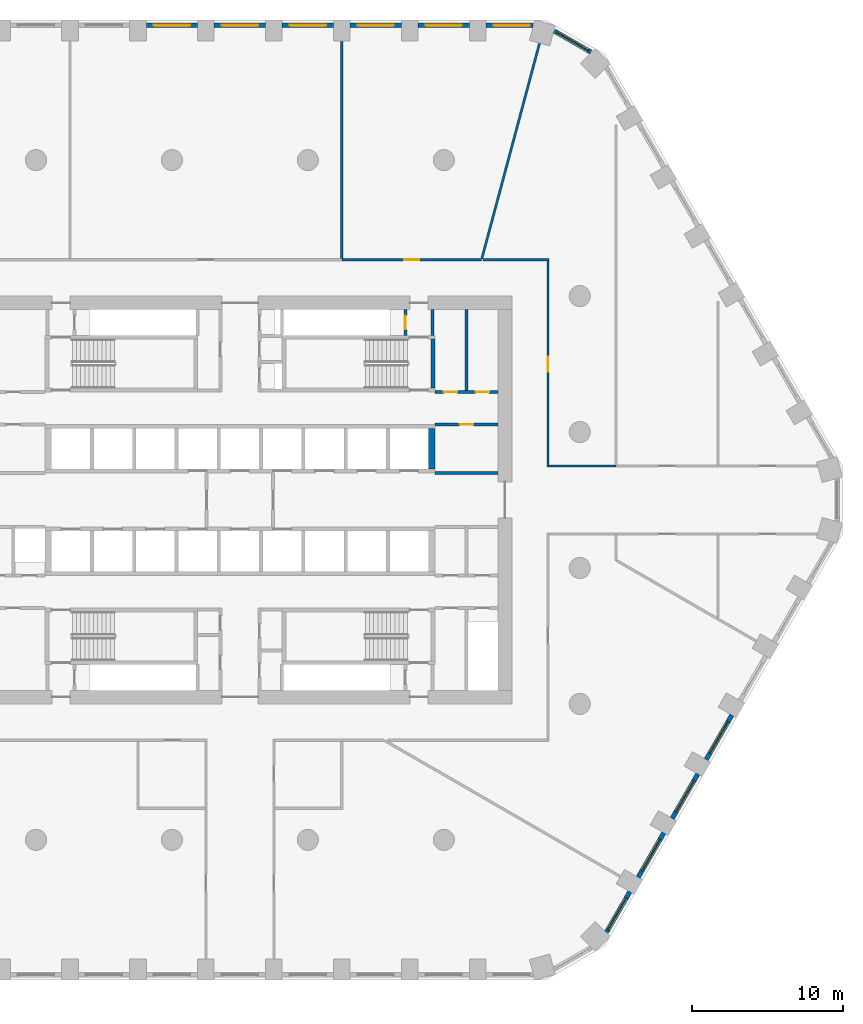
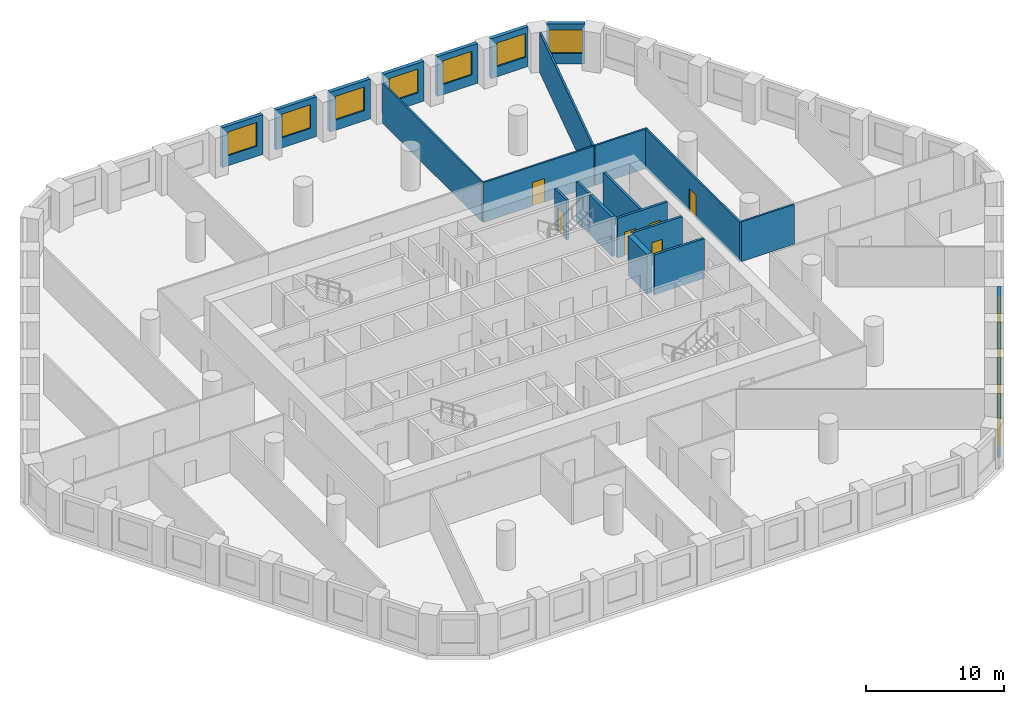
# One storey, part 7 of 10: 25 walls, 11 windows, 6 doors, 17 openings.
"""IFC4 building model written with IfcOpenShell, lengths in metres."""

from ifc_helpers import new_model, si_unit, direction, frame, frame_2d, origin, place, context, subcontext, project, spatial, polyline, rectangle, outline, extrude, material, layer, layer_set, type_object, element, fill, save


model = new_model("IFC4")

# Units and contexts
model_context = context("Model", 3, precision=1e-05, world=origin(), true_north=direction((0.0, 1.0)))
body_context = subcontext(model_context, "Body", "Model", "MODEL_VIEW")
ifc_project = project(units=[si_unit("LENGTHUNIT", "METRE"), si_unit("AREAUNIT", "SQUARE_METRE"), si_unit("VOLUMEUNIT", "CUBIC_METRE"), si_unit("PLANEANGLEUNIT", "RADIAN"), si_unit("MASSUNIT", "GRAM", prefix="KILO")], contexts=[model_context])

# Site, building, storey
site_placement = place(None, origin())
site = spatial("IfcSite", under=ifc_project, at=site_placement, CompositionType="ELEMENT")
building_placement = place(site_placement, origin())
building = spatial("IfcBuilding", under=site, at=building_placement, Name="Dhurran Vertical Campus", CompositionType="ELEMENT")
storey_placement = place(building_placement, frame((0.0, 0.0, 69.0)))
storey = spatial("IfcBuildingStorey", under=building, at=storey_placement, Name="L16", CompositionType="ELEMENT", Elevation=69.0)

# Wall, opening, window
ifc_material_1 = material(Name="Precast concrete C50/60", Category="concrete")
ifc_layer_1 = layer(ifc_material_1, 0.300048828125)
ifc_layer_set_1 = layer_set([ifc_layer_1], Name="Precast concrete C50/60")
wall_type_1 = type_object("IfcWallType", Name="Precast spandrel wall 300", PredefinedType="SOLIDWALL", material=ifc_layer_set_1)
wall_1_placement = place(storey_placement, frame((24.2734375, -28.611083984375, 0.0), z_axis=(0.0, 0.0, 1.0), x_axis=(0.499995950774, 0.866027741594, 0.0)))
wall_1 = element("IfcWall", 1, at=wall_1_placement, inside=storey, type_object=wall_type_1, Name="EW1 L16.10", PredefinedType="SOLIDWALL", context=body_context, shape_type="SweptSolid", body=[
    extrude(rectangle(XDim=3.0908203125, YDim=0.300048828125, at=frame_2d((1.54541015625, 0.0))), origin(), (0.0, 0.0, 1.0), 3.52490234375),
])
opening_1_placement = place(wall_1_placement, frame((0.191162109375, 0.0, 0.89990234375)))
opening_1 = element("IfcOpeningElement", 2, at=opening_1_placement, cuts=wall_1, Name="Opening WT1", PredefinedType="OPENING", context=body_context, shape_type="SweptSolid", body=[
    extrude(rectangle(XDim=2.39990234375, YDim=2.10009765625, at=frame_2d((1.199951171875, 1.050048828125))), frame((0.0, 0.159912109375, 0.0), z_axis=(0.0, -1.0, 0.0), x_axis=(1.0, 0.0, 0.0)), (0.0, 0.0, 1.0), 0.320068359375),
])
ifc_material_2 = material(Name="Aluminium frame with solar-control glass", Category="aluminium")
window_type = type_object("IfcWindowType", Name="Punched window 2400 x 2100", PartitioningType="SINGLE_PANEL", PredefinedType="WINDOW", material=ifc_material_2)
window_1_placement = place(opening_1_placement, origin())
window_1 = element("IfcWindow", 3, at=window_1_placement, inside=storey, type_object=window_type, Name="WT1 L16.10", OverallHeight=2.10009765625, OverallWidth=2.39990234375, PartitioningType="SINGLE_PANEL", PredefinedType="WINDOW", context=body_context, shape_type="SweptSolid", body=[
    extrude(rectangle(XDim=2.39990234375, YDim=2.10009765625, at=frame_2d((1.199951171875, 1.050048828125))), frame((0.0, 0.030029296875, 0.0), z_axis=(0.0, -1.0, 0.0), x_axis=(1.0, 0.0, 0.0)), (0.0, 0.0, 1.0), 0.06005859375),
])
fill(opening_1, window_1)

wall_2_placement = place(storey_placement, frame((26.369384765625, -24.98095703125, 0.0), z_axis=(0.0, 0.0, 1.0), x_axis=(0.499993955907, 0.866028893315, 0.0)))
wall_2 = element("IfcWall", 4, at=wall_2_placement, inside=storey, type_object=wall_type_1, Name="EW1 L16.11", PredefinedType="SOLIDWALL", context=body_context, shape_type="SweptSolid", body=[
    extrude(rectangle(XDim=3.39892578125, YDim=0.300048828125, at=frame_2d((1.699462890625, 0.0))), origin(), (0.0, 0.0, 1.0), 3.52490234375),
])
opening_2_placement = place(wall_2_placement, frame((0.49951171875, 0.0, 0.89990234375)))
opening_2 = element("IfcOpeningElement", 5, at=opening_2_placement, cuts=wall_2, Name="Opening WT1", PredefinedType="OPENING", context=body_context, shape_type="SweptSolid", body=[
    extrude(rectangle(XDim=2.39990234375, YDim=2.10009765625, at=frame_2d((1.199951171875, 1.050048828125))), frame((0.0, 0.159912109375, 0.0), z_axis=(0.0, -1.0, 0.0), x_axis=(1.0, 0.0, 0.0)), (0.0, 0.0, 1.0), 0.320068359375),
])
window_2_placement = place(opening_2_placement, origin())
window_2 = element("IfcWindow", 6, at=window_2_placement, inside=storey, type_object=window_type, Name="WT1 L16.11", OverallHeight=2.10009765625, OverallWidth=2.39990234375, PartitioningType="SINGLE_PANEL", PredefinedType="WINDOW", context=body_context, shape_type="SweptSolid", body=[
    extrude(rectangle(XDim=2.39990234375, YDim=2.10009765625, at=frame_2d((1.199951171875, 1.050048828125))), frame((0.0, 0.030029296875, 0.0), z_axis=(0.0, -1.0, 0.0), x_axis=(1.0, 0.0, 0.0)), (0.0, 0.0, 1.0), 0.06005859375),
])
fill(opening_2, window_2)

wall_3_placement = place(storey_placement, frame((28.619384765625, -21.083740234375, 0.0), z_axis=(0.0, 0.0, 1.0), x_axis=(0.499993955907, 0.866028893315, 0.0)))
wall_3 = element("IfcWall", 7, at=wall_3_placement, inside=storey, type_object=wall_type_1, Name="EW1 L16.12", PredefinedType="SOLIDWALL", context=body_context, shape_type="SweptSolid", body=[
    extrude(rectangle(XDim=3.39892578125, YDim=0.300048828125, at=frame_2d((1.699462890625, 0.0))), origin(), (0.0, 0.0, 1.0), 3.52490234375),
])
opening_3_placement = place(wall_3_placement, frame((0.49951171875, 0.0, 0.89990234375)))
opening_3 = element("IfcOpeningElement", 8, at=opening_3_placement, cuts=wall_3, Name="Opening WT1", PredefinedType="OPENING", context=body_context, shape_type="SweptSolid", body=[
    extrude(rectangle(XDim=2.39990234375, YDim=2.10009765625, at=frame_2d((1.199951171875, 1.050048828125))), frame((0.0, 0.159912109375, 0.0), z_axis=(0.0, -1.0, 0.0), x_axis=(1.0, 0.0, 0.0)), (0.0, 0.0, 1.0), 0.320068359375),
])
window_3_placement = place(opening_3_placement, origin())
window_3 = element("IfcWindow", 9, at=window_3_placement, inside=storey, type_object=window_type, Name="WT1 L16.12", OverallHeight=2.10009765625, OverallWidth=2.39990234375, PartitioningType="SINGLE_PANEL", PredefinedType="WINDOW", context=body_context, shape_type="SweptSolid", body=[
    extrude(rectangle(XDim=2.39990234375, YDim=2.10009765625, at=frame_2d((1.199951171875, 1.050048828125))), frame((0.0, 0.030029296875, 0.0), z_axis=(0.0, -1.0, 0.0), x_axis=(1.0, 0.0, 0.0)), (0.0, 0.0, 1.0), 0.06005859375),
])
fill(opening_3, window_3)

wall_4_placement = place(storey_placement, frame((30.869384765625, -17.186767578125, 0.0), z_axis=(0.0, 0.0, 1.0), x_axis=(0.499993955907, 0.866028893315, 0.0)))
wall_4 = element("IfcWall", 10, at=wall_4_placement, inside=storey, type_object=wall_type_1, Name="EW1 L16.13", PredefinedType="SOLIDWALL", context=body_context, shape_type="SweptSolid", body=[
    extrude(rectangle(XDim=3.39892578125, YDim=0.300048828125, at=frame_2d((1.699462890625, 0.0))), origin(), (0.0, 0.0, 1.0), 3.52490234375),
])
opening_4_placement = place(wall_4_placement, frame((0.49951171875, 0.0, 0.89990234375)))
opening_4 = element("IfcOpeningElement", 11, at=opening_4_placement, cuts=wall_4, Name="Opening WT1", PredefinedType="OPENING", context=body_context, shape_type="SweptSolid", body=[
    extrude(rectangle(XDim=2.39990234375, YDim=2.10009765625, at=frame_2d((1.199951171875, 1.050048828125))), frame((0.0, 0.159912109375, 0.0), z_axis=(0.0, -1.0, 0.0), x_axis=(1.0, 0.0, 0.0)), (0.0, 0.0, 1.0), 0.320068359375),
])
window_4_placement = place(opening_4_placement, origin())
window_4 = element("IfcWindow", 12, at=window_4_placement, inside=storey, type_object=window_type, Name="WT1 L16.13", OverallHeight=2.10009765625, OverallWidth=2.39990234375, PartitioningType="SINGLE_PANEL", PredefinedType="WINDOW", context=body_context, shape_type="SweptSolid", body=[
    extrude(rectangle(XDim=2.39990234375, YDim=2.10009765625, at=frame_2d((1.199951171875, 1.050048828125))), frame((0.0, 0.030029296875, 0.0), z_axis=(0.0, -1.0, 0.0), x_axis=(1.0, 0.0, 0.0)), (0.0, 0.0, 1.0), 0.06005859375),
])
fill(opening_4, window_4)

wall_5_placement = place(storey_placement, frame((23.228271484375, 29.656005859375, 0.0), z_axis=(0.0, 0.0, 1.0), x_axis=(-0.866020456713, 0.500008568482, 0.0)))
wall_5 = element("IfcWall", 13, at=wall_5_placement, inside=storey, type_object=wall_type_1, Name="EW1 L16.25", PredefinedType="SOLIDWALL", context=body_context, shape_type="SweptSolid", body=[
    extrude(rectangle(XDim=2.7822265625, YDim=0.300048828125, at=frame_2d((1.39111328125, 0.0))), origin(), (0.0, 0.0, 1.0), 3.52490234375),
])
opening_5_placement = place(wall_5_placement, frame((0.191162109375, 0.0, 0.89990234375)))
opening_5 = element("IfcOpeningElement", 14, at=opening_5_placement, cuts=wall_5, Name="Opening WT1", PredefinedType="OPENING", context=body_context, shape_type="SweptSolid", body=[
    extrude(rectangle(XDim=2.39990234375, YDim=2.10009765625, at=frame_2d((1.199951171875, 1.050048828125))), frame((0.0, 0.159912109375, 0.0), z_axis=(0.0, -1.0, 0.0), x_axis=(1.0, 0.0, 0.0)), (0.0, 0.0, 1.0), 0.320068359375),
])
window_5_placement = place(opening_5_placement, origin())
window_5 = element("IfcWindow", 15, at=window_5_placement, inside=storey, type_object=window_type, Name="WT1 L16.25", OverallHeight=2.10009765625, OverallWidth=2.39990234375, PartitioningType="SINGLE_PANEL", PredefinedType="WINDOW", context=body_context, shape_type="SweptSolid", body=[
    extrude(rectangle(XDim=2.39990234375, YDim=2.10009765625, at=frame_2d((1.199951171875, 1.050048828125))), frame((0.0, 0.030029296875, 0.0), z_axis=(0.0, -1.0, 0.0), x_axis=(1.0, 0.0, 0.0)), (0.0, 0.0, 1.0), 0.06005859375),
])
fill(opening_5, window_5)

wall_6_placement = place(storey_placement, frame((19.39111328125, 31.4296875, 0.0), z_axis=(0.0, 0.0, 1.0), x_axis=(-1.0, 0.0, 0.0)))
wall_6 = element("IfcWall", 16, at=wall_6_placement, inside=storey, type_object=wall_type_1, Name="EW1 L16.26", PredefinedType="SOLIDWALL", context=body_context, shape_type="SweptSolid", body=[
    extrude(rectangle(XDim=3.090576171875, YDim=0.300048828125, at=frame_2d((1.54541015625, 0.0))), origin(), (0.0, 0.0, 1.0), 3.52490234375),
])
opening_6_placement = place(wall_6_placement, frame((0.191162109375, 0.0, 0.89990234375)))
opening_6 = element("IfcOpeningElement", 17, at=opening_6_placement, cuts=wall_6, Name="Opening WT1", PredefinedType="OPENING", context=body_context, shape_type="SweptSolid", body=[
    extrude(rectangle(XDim=2.39990234375, YDim=2.10009765625, at=frame_2d((1.199951171875, 1.050048828125))), frame((0.0, 0.159912109375, 0.0), z_axis=(0.0, -1.0, 0.0), x_axis=(1.0, 0.0, 0.0)), (0.0, 0.0, 1.0), 0.320068359375),
])
window_6_placement = place(opening_6_placement, origin())
window_6 = element("IfcWindow", 18, at=window_6_placement, inside=storey, type_object=window_type, Name="WT1 L16.26", OverallHeight=2.10009765625, OverallWidth=2.39990234375, PartitioningType="SINGLE_PANEL", PredefinedType="WINDOW", context=body_context, shape_type="SweptSolid", body=[
    extrude(rectangle(XDim=2.39990234375, YDim=2.10009765625, at=frame_2d((1.199951171875, 1.050048828125))), frame((0.0, 0.030029296875, 0.0), z_axis=(0.0, -1.0, 0.0), x_axis=(1.0, 0.0, 0.0)), (0.0, 0.0, 1.0), 0.06005859375),
])
fill(opening_6, window_6)

wall_7_placement = place(storey_placement, frame((15.199462890625, 31.4296875, 0.0), z_axis=(0.0, 0.0, 1.0), x_axis=(-1.0, 0.0, 0.0)))
wall_7 = element("IfcWall", 19, at=wall_7_placement, inside=storey, type_object=wall_type_1, Name="EW1 L16.27", PredefinedType="SOLIDWALL", context=body_context, shape_type="SweptSolid", body=[
    extrude(rectangle(XDim=3.39892578125, YDim=0.300048828125, at=frame_2d((1.699462890625, 0.0))), origin(), (0.0, 0.0, 1.0), 3.52490234375),
])
opening_7_placement = place(wall_7_placement, frame((0.49951171875, 0.0, 0.89990234375)))
opening_7 = element("IfcOpeningElement", 20, at=opening_7_placement, cuts=wall_7, Name="Opening WT1", PredefinedType="OPENING", context=body_context, shape_type="SweptSolid", body=[
    extrude(rectangle(XDim=2.39990234375, YDim=2.10009765625, at=frame_2d((1.199951171875, 1.050048828125))), frame((0.0, 0.159912109375, 0.0), z_axis=(0.0, -1.0, 0.0), x_axis=(1.0, 0.0, 0.0)), (0.0, 0.0, 1.0), 0.320068359375),
])
window_7_placement = place(opening_7_placement, origin())
window_7 = element("IfcWindow", 21, at=window_7_placement, inside=storey, type_object=window_type, Name="WT1 L16.27", OverallHeight=2.10009765625, OverallWidth=2.39990234375, PartitioningType="SINGLE_PANEL", PredefinedType="WINDOW", context=body_context, shape_type="SweptSolid", body=[
    extrude(rectangle(XDim=2.39990234375, YDim=2.10009765625, at=frame_2d((1.199951171875, 1.050048828125))), frame((0.0, 0.030029296875, 0.0), z_axis=(0.0, -1.0, 0.0), x_axis=(1.0, 0.0, 0.0)), (0.0, 0.0, 1.0), 0.06005859375),
])
fill(opening_7, window_7)

wall_8_placement = place(storey_placement, frame((10.699462890625, 31.4296875, 0.0), z_axis=(0.0, 0.0, 1.0), x_axis=(-1.0, 0.0, 0.0)))
wall_8 = element("IfcWall", 22, at=wall_8_placement, inside=storey, type_object=wall_type_1, Name="EW1 L16.28", PredefinedType="SOLIDWALL", context=body_context, shape_type="SweptSolid", body=[
    extrude(rectangle(XDim=3.39892578125, YDim=0.300048828125, at=frame_2d((1.699462890625, 0.0))), origin(), (0.0, 0.0, 1.0), 3.52490234375),
])
opening_8_placement = place(wall_8_placement, frame((0.49951171875, 0.0, 0.89990234375)))
opening_8 = element("IfcOpeningElement", 23, at=opening_8_placement, cuts=wall_8, Name="Opening WT1", PredefinedType="OPENING", context=body_context, shape_type="SweptSolid", body=[
    extrude(rectangle(XDim=2.39990234375, YDim=2.10009765625, at=frame_2d((1.199951171875, 1.050048828125))), frame((0.0, 0.159912109375, 0.0), z_axis=(0.0, -1.0, 0.0), x_axis=(1.0, 0.0, 0.0)), (0.0, 0.0, 1.0), 0.320068359375),
])
window_8_placement = place(opening_8_placement, origin())
window_8 = element("IfcWindow", 24, at=window_8_placement, inside=storey, type_object=window_type, Name="WT1 L16.28", OverallHeight=2.10009765625, OverallWidth=2.39990234375, PartitioningType="SINGLE_PANEL", PredefinedType="WINDOW", context=body_context, shape_type="SweptSolid", body=[
    extrude(rectangle(XDim=2.39990234375, YDim=2.10009765625, at=frame_2d((1.199951171875, 1.050048828125))), frame((0.0, 0.030029296875, 0.0), z_axis=(0.0, -1.0, 0.0), x_axis=(1.0, 0.0, 0.0)), (0.0, 0.0, 1.0), 0.06005859375),
])
fill(opening_8, window_8)

wall_9_placement = place(storey_placement, frame((6.199462890625, 31.4296875, 0.0), z_axis=(0.0, 0.0, 1.0), x_axis=(-1.0, 0.0, 0.0)))
wall_9 = element("IfcWall", 25, at=wall_9_placement, inside=storey, type_object=wall_type_1, Name="EW1 L16.29", PredefinedType="SOLIDWALL", context=body_context, shape_type="SweptSolid", body=[
    extrude(rectangle(XDim=3.39892578125, YDim=0.300048828125, at=frame_2d((1.699462890625, 0.0))), origin(), (0.0, 0.0, 1.0), 3.52490234375),
])
opening_9_placement = place(wall_9_placement, frame((0.49951171875, 0.0, 0.89990234375)))
opening_9 = element("IfcOpeningElement", 26, at=opening_9_placement, cuts=wall_9, Name="Opening WT1", PredefinedType="OPENING", context=body_context, shape_type="SweptSolid", body=[
    extrude(rectangle(XDim=2.39990234375, YDim=2.10009765625, at=frame_2d((1.199951171875, 1.050048828125))), frame((0.0, 0.159912109375, 0.0), z_axis=(0.0, -1.0, 0.0), x_axis=(1.0, 0.0, 0.0)), (0.0, 0.0, 1.0), 0.320068359375),
])
window_9_placement = place(opening_9_placement, origin())
window_9 = element("IfcWindow", 27, at=window_9_placement, inside=storey, type_object=window_type, Name="WT1 L16.29", OverallHeight=2.10009765625, OverallWidth=2.39990234375, PartitioningType="SINGLE_PANEL", PredefinedType="WINDOW", context=body_context, shape_type="SweptSolid", body=[
    extrude(rectangle(XDim=2.39990234375, YDim=2.10009765625, at=frame_2d((1.199951171875, 1.050048828125))), frame((0.0, 0.030029296875, 0.0), z_axis=(0.0, -1.0, 0.0), x_axis=(1.0, 0.0, 0.0)), (0.0, 0.0, 1.0), 0.06005859375),
])
fill(opening_9, window_9)

wall_10_placement = place(storey_placement, frame((1.699462890625, 31.4296875, 0.0), z_axis=(0.0, 0.0, 1.0), x_axis=(-1.0, 0.0, 0.0)))
wall_10 = element("IfcWall", 28, at=wall_10_placement, inside=storey, type_object=wall_type_1, Name="EW1 L16.30", PredefinedType="SOLIDWALL", context=body_context, shape_type="SweptSolid", body=[
    extrude(rectangle(XDim=3.39892578125, YDim=0.300048828125, at=frame_2d((1.699462890625, 0.0))), origin(), (0.0, 0.0, 1.0), 3.52490234375),
])
opening_10_placement = place(wall_10_placement, frame((0.49951171875, 0.0, 0.89990234375)))
opening_10 = element("IfcOpeningElement", 29, at=opening_10_placement, cuts=wall_10, Name="Opening WT1", PredefinedType="OPENING", context=body_context, shape_type="SweptSolid", body=[
    extrude(rectangle(XDim=2.39990234375, YDim=2.10009765625, at=frame_2d((1.199951171875, 1.050048828125))), frame((0.0, 0.159912109375, 0.0), z_axis=(0.0, -1.0, 0.0), x_axis=(1.0, 0.0, 0.0)), (0.0, 0.0, 1.0), 0.320068359375),
])
window_10_placement = place(opening_10_placement, origin())
window_10 = element("IfcWindow", 30, at=window_10_placement, inside=storey, type_object=window_type, Name="WT1 L16.30", OverallHeight=2.10009765625, OverallWidth=2.39990234375, PartitioningType="SINGLE_PANEL", PredefinedType="WINDOW", context=body_context, shape_type="SweptSolid", body=[
    extrude(rectangle(XDim=2.39990234375, YDim=2.10009765625, at=frame_2d((1.199951171875, 1.050048828125))), frame((0.0, 0.030029296875, 0.0), z_axis=(0.0, -1.0, 0.0), x_axis=(1.0, 0.0, 0.0)), (0.0, 0.0, 1.0), 0.06005859375),
])
fill(opening_10, window_10)

wall_11_placement = place(storey_placement, frame((-2.800537109375, 31.4296875, 0.0), z_axis=(0.0, 0.0, 1.0), x_axis=(-1.0, 0.0, 0.0)))
wall_11 = element("IfcWall", 31, at=wall_11_placement, inside=storey, type_object=wall_type_1, Name="EW1 L16.31", PredefinedType="SOLIDWALL", context=body_context, shape_type="SweptSolid", body=[
    extrude(rectangle(XDim=3.39892578125, YDim=0.300048828125, at=frame_2d((1.699462890625, 0.0))), origin(), (0.0, 0.0, 1.0), 3.52490234375),
])
opening_11_placement = place(wall_11_placement, frame((0.49951171875, 0.0, 0.89990234375)))
opening_11 = element("IfcOpeningElement", 32, at=opening_11_placement, cuts=wall_11, Name="Opening WT1", PredefinedType="OPENING", context=body_context, shape_type="SweptSolid", body=[
    extrude(rectangle(XDim=2.39990234375, YDim=2.10009765625, at=frame_2d((1.199951171875, 1.050048828125))), frame((0.0, 0.159912109375, 0.0), z_axis=(0.0, -1.0, 0.0), x_axis=(1.0, 0.0, 0.0)), (0.0, 0.0, 1.0), 0.320068359375),
])
window_11_placement = place(opening_11_placement, origin())
window_11 = element("IfcWindow", 33, at=window_11_placement, inside=storey, type_object=window_type, Name="WT1 L16.31", OverallHeight=2.10009765625, OverallWidth=2.39990234375, PartitioningType="SINGLE_PANEL", PredefinedType="WINDOW", context=body_context, shape_type="SweptSolid", body=[
    extrude(rectangle(XDim=2.39990234375, YDim=2.10009765625, at=frame_2d((1.199951171875, 1.050048828125))), frame((0.0, 0.030029296875, 0.0), z_axis=(0.0, -1.0, 0.0), x_axis=(1.0, 0.0, 0.0)), (0.0, 0.0, 1.0), 0.06005859375),
])
fill(opening_11, window_11)

# Wall
ifc_material_3 = material(Name="Fire-rated masonry blockwork", Category="masonry")
ifc_layer_2 = layer(ifc_material_3, 0.199951171875)
ifc_layer_set_2 = layer_set([ifc_layer_2], Name="Fire-rated masonry blockwork")
wall_type_2 = type_object("IfcWallType", Name="co-FIRE-PARTITION-200", PredefinedType="PARTITIONING", material=ifc_layer_set_2)
wall_12_placement = place(storey_placement, frame((12.75, 10.89990234375, 0.0), z_axis=(0.0, 0.0, 1.0), x_axis=(0.0, 1.0, 0.0)))
element("IfcWall", 34, at=wall_12_placement, inside=storey, type_object=wall_type_2, Name="Core partition pass-ST2-o L16", PredefinedType="PARTITIONING", context=body_context, shape_type="SweptSolid", body=[
    extrude(rectangle(XDim=1.7001953125, YDim=0.199951171875, at=frame_2d((0.85009765625, 0.0))), origin(), (0.0, 0.0, 1.0), 3.52490234375),
])

# Wall, opening, door
wall_13_placement = place(storey_placement, frame((10.949951171875, 10.89990234375, 0.0), z_axis=(0.0, 0.0, 1.0), x_axis=(0.0, 1.0, 0.0)))
wall_13 = element("IfcWall", 35, at=wall_13_placement, inside=storey, type_object=wall_type_2, Name="Core partition pass-ST2-i L16", PredefinedType="PARTITIONING", context=body_context, shape_type="SweptSolid", body=[
    extrude(rectangle(XDim=1.7001953125, YDim=0.199951171875, at=frame_2d((0.85009765625, 0.0))), origin(), (0.0, 0.0, 1.0), 3.52490234375),
])
opening_12_placement = place(wall_13_placement, frame((0.39990234375, 0.0, 0.0)))
opening_12 = element("IfcOpeningElement", 36, at=opening_12_placement, cuts=wall_13, Name="Opening T04-C10", PredefinedType="OPENING", context=body_context, shape_type="SweptSolid", body=[
    extrude(rectangle(XDim=0.89990234375, YDim=2.10009765625, at=frame_2d((0.449951171875, 1.050048828125))), frame((0.0, 0.10986328125, 0.0), z_axis=(0.0, -1.0, 0.0), x_axis=(1.0, 0.0, 0.0)), (0.0, 0.0, 1.0), 0.219970703125),
])
ifc_material_4 = material(Name="Fire-rated timber door set", Category="wood")
door_type_1 = type_object("IfcDoorType", Name="co-D-ROOM 900x2100", OperationType="SINGLE_SWING_LEFT", PredefinedType="DOOR", material=ifc_material_4)
door_1_placement = place(opening_12_placement, origin())
door_1 = element("IfcDoor", 37, at=door_1_placement, inside=storey, type_object=door_type_1, Name="Riser room door L16", OperationType="SINGLE_SWING_LEFT", OverallHeight=2.10009765625, OverallWidth=0.89990234375, PredefinedType="DOOR", context=body_context, shape_type="SweptSolid", body=[
    extrude(rectangle(XDim=0.89990234375, YDim=2.10009765625, at=frame_2d((0.449951171875, 1.050048828125))), frame((0.0, 0.02490234375, 0.0), z_axis=(0.0, -1.0, 0.0), x_axis=(1.0, 0.0, 0.0)), (0.0, 0.0, 1.0), 0.050048828125),
])
fill(opening_12, door_1)

# Wall
wall_14_placement = place(storey_placement, frame((15.0, 7.14990234375, 0.0), z_axis=(0.0, 0.0, 1.0), x_axis=(0.0, 1.0, 0.0)))
element("IfcWall", 38, at=wall_14_placement, inside=storey, type_object=wall_type_2, Name="Core partition en-NE-cut0 L16", PredefinedType="PARTITIONING", context=body_context, shape_type="SweptSolid", body=[
    extrude(rectangle(XDim=5.4501953125, YDim=0.199951171875, at=frame_2d((2.72509765625, 0.0))), origin(), (0.0, 0.0, 1.0), 3.52490234375),
])

# Wall, openings, doors
wall_15_placement = place(storey_placement, frame((12.89990234375, 7.14990234375, 0.0), z_axis=(0.0, 0.0, 1.0), x_axis=(1.0, 0.0, 0.0)))
wall_15 = element("IfcWall", 39, at=wall_15_placement, inside=storey, type_object=wall_type_2, Name="Core partition en-NE-w L16", PredefinedType="PARTITIONING", context=body_context, shape_type="SweptSolid", body=[
    extrude(rectangle(XDim=4.2001953125, YDim=0.199951171875, at=frame_2d((2.10009765625, 0.0))), origin(), (0.0, 0.0, 1.0), 3.52490234375),
])
opening_13_placement = place(wall_15_placement, frame((0.60009765625, 0.0, 0.0)))
opening_13 = element("IfcOpeningElement", 40, at=opening_13_placement, cuts=wall_15, Name="Opening T04-C15", PredefinedType="OPENING", context=body_context, shape_type="SweptSolid", body=[
    extrude(rectangle(XDim=0.89990234375, YDim=2.10009765625, at=frame_2d((0.449951171875, 1.050048828125))), frame((0.0, 0.10986328125, 0.0), z_axis=(0.0, -1.0, 0.0), x_axis=(1.0, 0.0, 0.0)), (0.0, 0.0, 1.0), 0.219970703125),
])
opening_14_placement = place(wall_15_placement, frame((2.699951171875, 0.0, 0.0)))
opening_14 = element("IfcOpeningElement", 41, at=opening_14_placement, cuts=wall_15, Name="Opening T04-C16", PredefinedType="OPENING", context=body_context, shape_type="SweptSolid", body=[
    extrude(rectangle(XDim=0.89990234375, YDim=2.10009765625, at=frame_2d((0.449951171875, 1.050048828125))), frame((0.0, 0.10986328125, 0.0), z_axis=(0.0, -1.0, 0.0), x_axis=(1.0, 0.0, 0.0)), (0.0, 0.0, 1.0), 0.219970703125),
])
door_2_placement = place(opening_13_placement, origin())
door_2 = element("IfcDoor", 42, at=door_2_placement, inside=storey, type_object=door_type_1, Name="Pantry door L16", OperationType="SINGLE_SWING_LEFT", OverallHeight=2.10009765625, OverallWidth=0.89990234375, PredefinedType="DOOR", context=body_context, shape_type="SweptSolid", body=[
    extrude(rectangle(XDim=0.89990234375, YDim=2.10009765625, at=frame_2d((0.449951171875, 1.050048828125))), frame((0.0, 0.02490234375, 0.0), z_axis=(0.0, -1.0, 0.0), x_axis=(1.0, 0.0, 0.0)), (0.0, 0.0, 1.0), 0.050048828125),
])
fill(opening_13, door_2)
door_3_placement = place(opening_14_placement, origin())
door_3 = element("IfcDoor", 43, at=door_3_placement, inside=storey, type_object=door_type_1, Name="Cleaner's store door L16", OperationType="SINGLE_SWING_LEFT", OverallHeight=2.10009765625, OverallWidth=0.89990234375, PredefinedType="DOOR", context=body_context, shape_type="SweptSolid", body=[
    extrude(rectangle(XDim=0.89990234375, YDim=2.10009765625, at=frame_2d((0.449951171875, 1.050048828125))), frame((0.0, 0.02490234375, 0.0), z_axis=(0.0, -1.0, 0.0), x_axis=(1.0, 0.0, 0.0)), (0.0, 0.0, 1.0), 0.050048828125),
])
fill(opening_14, door_3)

# Wall, opening, door
wall_16_placement = place(storey_placement, frame((12.89990234375, 5.0, 0.0), z_axis=(0.0, 0.0, 1.0), x_axis=(1.0, 0.0, 0.0)))
wall_16 = element("IfcWall", 44, at=wall_16_placement, inside=storey, type_object=wall_type_2, Name="Core partition es-NE-w L16", PredefinedType="PARTITIONING", context=body_context, shape_type="SweptSolid", body=[
    extrude(rectangle(XDim=4.2001953125, YDim=0.199951171875, at=frame_2d((2.10009765625, 0.0))), origin(), (0.0, 0.0, 1.0), 3.52490234375),
])
opening_15_placement = place(wall_16_placement, frame((1.64990234375, 0.0, 0.0)))
opening_15 = element("IfcOpeningElement", 45, at=opening_15_placement, cuts=wall_16, Name="Opening T04-C17", PredefinedType="OPENING", context=body_context, shape_type="SweptSolid", body=[
    extrude(rectangle(XDim=0.89990234375, YDim=2.10009765625, at=frame_2d((0.449951171875, 1.050048828125))), frame((0.0, 0.10986328125, 0.0), z_axis=(0.0, -1.0, 0.0), x_axis=(1.0, 0.0, 0.0)), (0.0, 0.0, 1.0), 0.219970703125),
])
door_4_placement = place(opening_15_placement, origin())
door_4 = element("IfcDoor", 46, at=door_4_placement, inside=storey, type_object=door_type_1, Name="Print room door L16", OperationType="SINGLE_SWING_LEFT", OverallHeight=2.10009765625, OverallWidth=0.89990234375, PredefinedType="DOOR", context=body_context, shape_type="SweptSolid", body=[
    extrude(rectangle(XDim=0.89990234375, YDim=2.10009765625, at=frame_2d((0.449951171875, 1.050048828125))), frame((0.0, 0.02490234375, 0.0), z_axis=(0.0, -1.0, 0.0), x_axis=(1.0, 0.0, 0.0)), (0.0, 0.0, 1.0), 0.050048828125),
])
fill(opening_15, door_4)

# Walls
wall_17_placement = place(storey_placement, frame((12.89990234375, 1.800048828125, 0.0), z_axis=(0.0, 0.0, 1.0), x_axis=(1.0, 0.0, 0.0)))
element("IfcWall", 47, at=wall_17_placement, inside=storey, type_object=wall_type_2, Name="Core partition es-NE-l L16", PredefinedType="PARTITIONING", context=body_context, shape_type="SweptSolid", body=[
    extrude(rectangle(XDim=4.2001953125, YDim=0.199951171875, at=frame_2d((2.10009765625, 0.0))), origin(), (0.0, 0.0, 1.0), 3.52490234375),
])
ifc_material_5 = material(Name="Concrete C50/60", Category="concrete")
ifc_layer_3 = layer(ifc_material_5, 0.25)
ifc_layer_set_3 = layer_set([ifc_layer_3], Name="Concrete C50/60")
wall_type_3 = type_object("IfcWallType", Name="co-SHAFT-MASS-250", PredefinedType="SHEAR", material=ifc_layer_set_3)
wall_18_placement = place(storey_placement, origin())
element("IfcWall", 48, at=wall_18_placement, inside=storey, type_object=wall_type_3, Name="Lift shaft wall N L16 11", PredefinedType="SHEAR", context=body_context, shape_type="SweptSolid", body=[
    extrude(outline(polyline([(12.47509765625, 2.050048828125), (12.89990234375, 2.050048828125), (12.89990234375, 4.75), (12.47509765625, 4.75), (12.47509765625, 2.050048828125)])), origin(), (0.0, 0.0, 1.0), 3.52490234375),
])
ifc_material_6 = material(Name="Concrete C40/50", Category="concrete")
ifc_layer_4 = layer(ifc_material_6, 0.25)
ifc_layer_set_4 = layer_set([ifc_layer_4], Name="Concrete C40/50")
wall_type_4 = type_object("IfcWallType", Name="co-STAIR-WALL-250", PredefinedType="SHEAR", material=ifc_layer_set_4)
wall_19_placement = place(storey_placement, frame((12.77490234375, 7.39990234375, 0.0), z_axis=(0.0, 0.0, 1.0), x_axis=(0.0, 1.0, 0.0)))
element("IfcWall", 49, at=wall_19_placement, inside=storey, type_object=wall_type_4, Name="Stair ST2 enclosure wall L16", PredefinedType="SHEAR", context=body_context, shape_type="SweptSolid", body=[
    extrude(rectangle(XDim=3.25, YDim=0.25, at=frame_2d((1.625, 0.0))), origin(), (0.0, 0.0, 1.0), 3.52490234375),
])

# Wall, opening, door
ifc_material_7 = material(Name="Gypsum board corridor wall on steel studs", Category="steel")
ifc_layer_5 = layer(ifc_material_7, 0.14990234375)
ifc_layer_set_5 = layer_set([ifc_layer_5], Name="Gypsum board corridor wall on steel studs")
wall_type_5 = type_object("IfcWallType", Name="fl-CW-150 corridor wall", PredefinedType="PARTITIONING", material=ifc_layer_set_5)
wall_20_placement = place(storey_placement, frame((15.9951171875, 15.89990234375, 0.0), z_axis=(0.0, 0.0, 1.0), x_axis=(-1.0, 0.0, 0.0)))
wall_20 = element("IfcWall", 50, at=wall_20_placement, inside=storey, type_object=wall_type_5, Name="Partition 16-31", PredefinedType="PARTITIONING", context=body_context, shape_type="SweptSolid", body=[
    extrude(rectangle(XDim=9.2451171875, YDim=0.14990234375, at=frame_2d((4.62255859375, 0.0))), origin(), (0.0, 0.0, 1.0), 3.52490234375),
])
opening_16_placement = place(wall_20_placement, frame((4.12255859375, 0.0, 0.0)))
opening_16 = element("IfcOpeningElement", 51, at=opening_16_placement, cuts=wall_20, Name="Opening T04.12", PredefinedType="OPENING", context=body_context, shape_type="SweptSolid", body=[
    extrude(rectangle(XDim=1.0, YDim=2.10009765625, at=frame_2d((0.5, 1.050048828125))), frame((0.0, 0.0849609375, 0.0), z_axis=(0.0, -1.0, 0.0), x_axis=(1.0, 0.0, 0.0)), (0.0, 0.0, 1.0), 0.169921875),
])
ifc_material_8 = material(Name="Solid-core timber door set, fire-rated", Category="wood")
door_type_2 = type_object("IfcDoorType", Name="fl-D-1000x2100", OperationType="SINGLE_SWING_LEFT", PredefinedType="DOOR", material=ifc_material_8)
door_5_placement = place(opening_16_placement, origin())
door_5 = element("IfcDoor", 52, at=door_5_placement, inside=storey, type_object=door_type_2, Name="Door 16.12", OperationType="SINGLE_SWING_RIGHT", OverallHeight=2.10009765625, OverallWidth=1.0, PredefinedType="DOOR", context=body_context, shape_type="SweptSolid", body=[
    extrude(rectangle(XDim=1.0, YDim=2.10009765625, at=frame_2d((0.5, 1.050048828125))), frame((0.0, 0.02490234375, 0.0), z_axis=(0.0, -1.0, 0.0), x_axis=(1.0, 0.0, 0.0)), (0.0, 0.0, 1.0), 0.050048828125),
])
fill(opening_16, door_5)

# Wall
wall_21_placement = place(storey_placement, frame((20.47509765625, 15.89990234375, 0.0), z_axis=(0.0, 0.0, 1.0), x_axis=(-1.0, 0.0, 0.0)))
element("IfcWall", 53, at=wall_21_placement, inside=storey, type_object=wall_type_5, Name="Partition 16-35", PredefinedType="PARTITIONING", context=body_context, shape_type="SweptSolid", body=[
    extrude(rectangle(XDim=4.385009765625, YDim=0.14990234375, at=frame_2d((2.1923828125, 0.0))), origin(), (0.0, 0.0, 1.0), 3.52490234375),
])

# Wall, opening, door
wall_22_placement = place(storey_placement, frame((20.39990234375, 2.175048828125, 0.0), z_axis=(0.0, 0.0, 1.0), x_axis=(0.0, 1.0, 0.0)))
wall_22 = element("IfcWall", 54, at=wall_22_placement, inside=storey, type_object=wall_type_5, Name="Partition 16-38", PredefinedType="PARTITIONING", context=body_context, shape_type="SweptSolid", body=[
    extrude(rectangle(XDim=13.64990234375, YDim=0.14990234375, at=frame_2d((6.824951171875, 0.0))), origin(), (0.0, 0.0, 1.0), 3.52490234375),
])
opening_17_placement = place(wall_22_placement, frame((6.324951171875, 0.0, 0.0)))
opening_17 = element("IfcOpeningElement", 55, at=opening_17_placement, cuts=wall_22, Name="Opening T04.13", PredefinedType="OPENING", context=body_context, shape_type="SweptSolid", body=[
    extrude(rectangle(XDim=1.0, YDim=2.10009765625, at=frame_2d((0.5, 1.050048828125))), frame((0.0, 0.0849609375, 0.0), z_axis=(0.0, -1.0, 0.0), x_axis=(1.0, 0.0, 0.0)), (0.0, 0.0, 1.0), 0.169921875),
])
door_6_placement = place(opening_17_placement, origin())
door_6 = element("IfcDoor", 56, at=door_6_placement, inside=storey, type_object=door_type_2, Name="Door 16.13", OperationType="SINGLE_SWING_LEFT", OverallHeight=2.10009765625, OverallWidth=1.0, PredefinedType="DOOR", context=body_context, shape_type="SweptSolid", body=[
    extrude(rectangle(XDim=1.0, YDim=2.10009765625, at=frame_2d((0.5, 1.050048828125))), frame((0.0, 0.02490234375, 0.0), z_axis=(0.0, -1.0, 0.0), x_axis=(1.0, 0.0, 0.0)), (0.0, 0.0, 1.0), 0.050048828125),
])
fill(opening_17, door_6)

# Walls
wall_23_placement = place(storey_placement, frame((20.47509765625, 2.25, 0.0), z_axis=(0.0, 0.0, 1.0), x_axis=(1.0, 0.0, 0.0)))
element("IfcWall", 57, at=wall_23_placement, inside=storey, type_object=wall_type_5, Name="Partition 16-39", PredefinedType="PARTITIONING", context=body_context, shape_type="SweptSolid", body=[
    extrude(rectangle(XDim=4.4248046875, YDim=0.14990234375, at=frame_2d((2.21240234375, 0.0))), origin(), (0.0, 0.0, 1.0), 3.52490234375),
])
ifc_material_9 = material(Name="Gypsum board partition on steel studs", Category="steel")
ifc_layer_6 = layer(ifc_material_9, 0.14990234375)
ifc_layer_set_6 = layer_set([ifc_layer_6], Name="Gypsum board partition on steel studs")
wall_type_6 = type_object("IfcWallType", Name="fl-PW-150 fixed partition", PredefinedType="PARTITIONING", material=ifc_layer_set_6)
wall_24_placement = place(storey_placement, frame((6.75, 30.35986328125, 0.0), z_axis=(0.0, 0.0, 1.0), x_axis=(0.0, -1.0, 0.0)))
element("IfcWall", 58, at=wall_24_placement, inside=storey, type_object=wall_type_6, Name="Partition 16-30", PredefinedType="PARTITIONING", context=body_context, shape_type="SweptSolid", body=[
    extrude(rectangle(XDim=14.384765625, YDim=0.14990234375, at=frame_2d((7.1923828125, 0.0))), origin(), (0.0, 0.0, 1.0), 3.52490234375),
])
wall_25_placement = place(storey_placement, frame((19.834228515625, 30.22705078125, 0.0), z_axis=(0.0, 0.0, 1.0), x_axis=(-0.258838346818, -0.965920654203, 0.0)))
element("IfcWall", 59, at=wall_25_placement, inside=storey, type_object=wall_type_6, Name="Partition 16-34", PredefinedType="PARTITIONING", context=body_context, shape_type="SweptSolid", body=[
    extrude(rectangle(XDim=14.757568359375, YDim=0.14990234375, at=frame_2d((7.37890625, 0.0))), origin(), (0.0, 0.0, 1.0), 3.52490234375),
])

save(model, "model.ifc")
